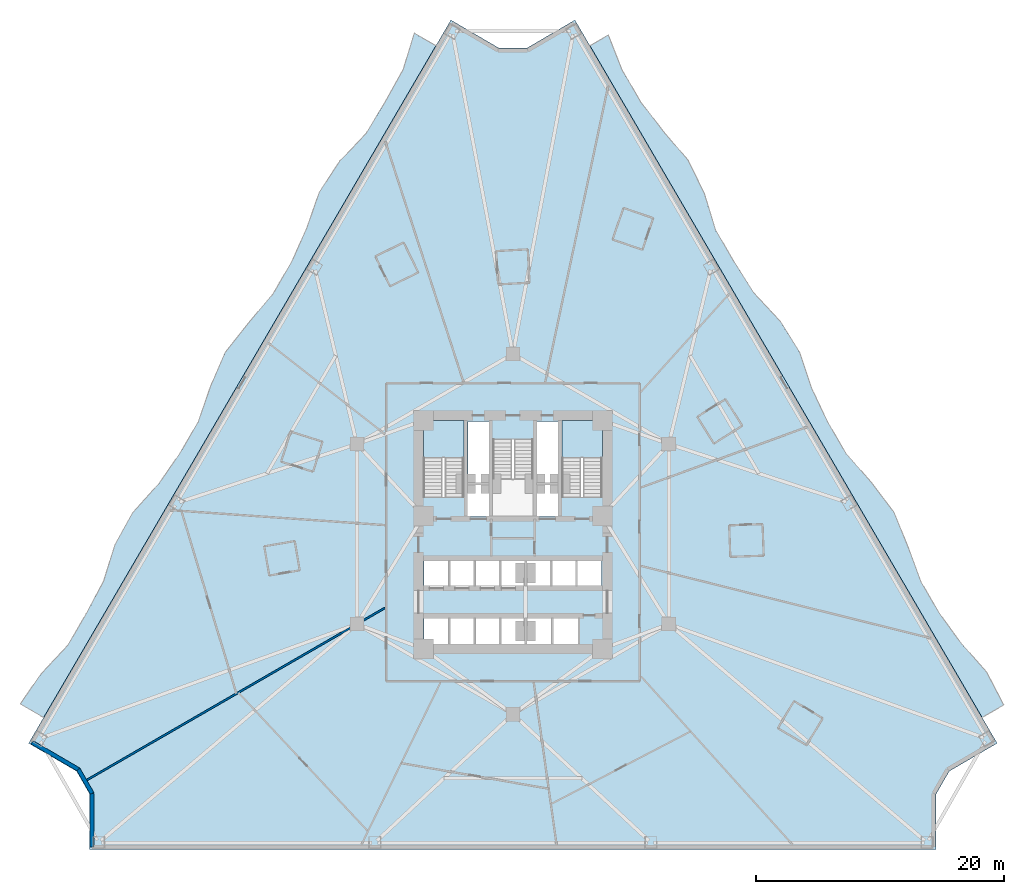
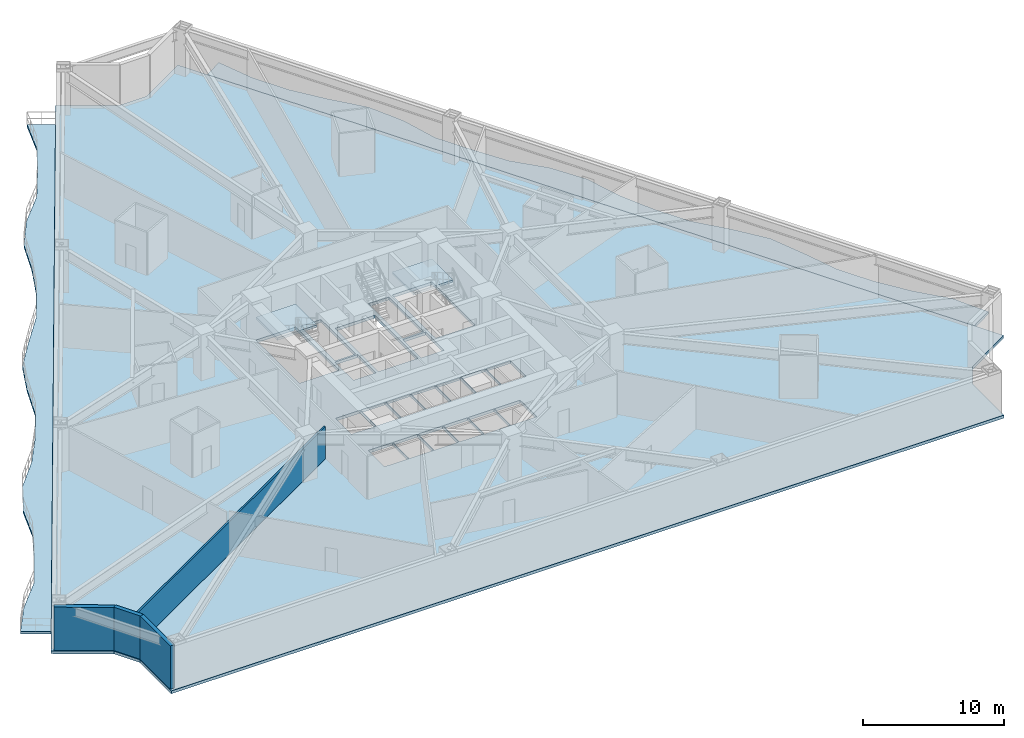
# One storey, part 2 of 11: 5 slabs, 4 walls, 2 elements without a shape of their own.
"""IFC4 building model written with IfcOpenShell, lengths in metres."""

from ifc_helpers import new_model, si_unit, direction, frame, frame_2d, origin, place, context, subcontext, project, spatial, polyline, rectangle, outline, extrude, material, layer, layer_set, type_object, element, aggregate, save


model = new_model("IFC4")

# Units and contexts
model_context = context("Model", 3, precision=1e-05, world=origin(), true_north=direction((0.0, 1.0)))
body_context = subcontext(model_context, "Body", "Model", "MODEL_VIEW")
ifc_project = project(units=[si_unit("LENGTHUNIT", "METRE"), si_unit("AREAUNIT", "SQUARE_METRE"), si_unit("VOLUMEUNIT", "CUBIC_METRE"), si_unit("PLANEANGLEUNIT", "RADIAN"), si_unit("MASSUNIT", "GRAM", prefix="KILO")], contexts=[model_context])

# Site, building, storey
site_placement = place(None, origin())
site = spatial("IfcSite", under=ifc_project, at=site_placement, CompositionType="ELEMENT")
building_placement = place(site_placement, origin())
building = spatial("IfcBuilding", under=site, at=building_placement, Name="Apsidion Concourse Tower", CompositionType="ELEMENT")
storey_placement = place(building_placement, frame((0.0, 0.0, 54.39990234375)))
storey = spatial("IfcBuildingStorey", under=building, at=storey_placement, Name="L11", CompositionType="ELEMENT", Elevation=54.39990234375)

# Slabs
ifc_material_1 = material(Name="Concrete C50/60", Category="concrete")
ifc_layer_1 = layer(ifc_material_1, 0.219970703125)
ifc_layer_set_1 = layer_set([ifc_layer_1], Name="Concrete C50/60")
slab_type_1 = type_object("IfcSlabType", Name="SL-BAL-220", PredefinedType="FLOOR", material=ifc_layer_set_1)
slab_1_placement = place(storey_placement, frame((0.0, 0.0, -0.219970703125)))
element("IfcSlab", 1, at=slab_1_placement, inside=storey, type_object=slab_type_1, Name="L11 Face 3 Rippling Balcony Slab", PredefinedType="FLOOR", context=body_context, shape_type="SweptSolid", body=[
    extrude(outline(polyline([(37.789306640625, -14.772705078125), (36.285400390625, -12.19677734375), (34.78125, -9.620849609375), (33.277099609375, -7.044921875), (31.773193359375, -4.468994140625), (30.269287109375, -1.892822265625), (28.76513671875, 0.68310546875), (27.260986328125, 3.259033203125), (25.757080078125, 5.8349609375), (24.253173828125, 8.410888671875), (22.7490234375, 10.987060546875), (21.2451171875, 13.56298828125), (19.740966796875, 16.138916015625), (18.237060546875, 18.715087890625), (16.73291015625, 21.291015625), (15.22900390625, 23.866943359375), (13.724853515625, 26.44287109375), (12.220947265625, 29.018798828125), (10.716796875, 31.594970703125), (9.212890625, 34.1708984375), (7.708740234375, 36.746826171875), (6.204833984375, 39.32275390625), (7.68310546875, 40.18603515625), (8.788330078125, 37.377197265625), (10.292236328125, 34.801025390625), (12.123046875, 32.416015625), (14.09912109375, 30.115478515625), (15.41552734375, 27.429931640625), (16.308349609375, 24.497314453125), (17.8125, 21.921142578125), (19.40673828125, 19.39794921875), (21.507080078125, 17.170166015625), (23.0849609375, 14.63720703125), (24.050048828125, 11.74658203125), (25.33251953125, 9.041259765625), (26.836669921875, 6.46533203125), (28.838623046875, 4.18017578125), (30.66455078125, 1.7919921875), (31.804931640625, -0.99609375), (32.852783203125, -3.838623046875), (34.356689453125, -6.41455078125), (36.127197265625, -8.8349609375), (38.143798828125, -11.11181640625), (39.52490234375, -13.759521484375), (37.789306640625, -14.772705078125)])), origin(), (0.0, 0.0, 1.0), 0.219970703125),
])
slab_2_placement = place(storey_placement, frame((0.0, 0.0, -0.219970703125)))
element("IfcSlab", 2, at=slab_2_placement, inside=storey, type_object=slab_type_1, Name="L11 Face 1 Rippling Balcony Slab", PredefinedType="FLOOR", context=body_context, shape_type="SweptSolid", body=[
    extrude(outline(polyline([(-6.204833984375, 39.32275390625), (-7.708740234375, 36.746826171875), (-9.212890625, 34.1708984375), (-10.716796875, 31.594970703125), (-12.220947265625, 29.018798828125), (-13.724853515625, 26.44287109375), (-15.22900390625, 23.866943359375), (-16.73291015625, 21.291015625), (-18.237060546875, 18.715087890625), (-19.740966796875, 16.138916015625), (-21.2451171875, 13.56298828125), (-22.7490234375, 10.987060546875), (-24.253173828125, 8.410888671875), (-25.757080078125, 5.8349609375), (-27.260986328125, 3.259033203125), (-28.76513671875, 0.68310546875), (-30.269287109375, -1.892822265625), (-31.773193359375, -4.468994140625), (-33.277099609375, -7.044921875), (-34.78125, -9.620849609375), (-36.285400390625, -12.19677734375), (-37.789306640625, -14.772705078125), (-39.67138671875, -13.673828125), (-37.964111328125, -11.216552734375), (-35.860595703125, -8.990478515625), (-34.356689453125, -6.41455078125), (-32.95751953125, -3.777587890625), (-32.044921875, -0.856201171875), (-30.59814453125, 1.75341796875), (-28.547119140625, 4.009765625), (-26.836669921875, 6.46533203125), (-25.33251953125, 9.041259765625), (-24.340087890625, 11.916015625), (-23.143798828125, 14.67138671875), (-21.2626953125, 17.02734375), (-19.31640625, 19.34521484375), (-17.8125, 21.921142578125), (-16.590087890625, 24.66162109375), (-15.589111328125, 27.53125), (-13.945556640625, 30.02587890625), (-11.830078125, 32.244873046875), (-10.292236328125, 34.801025390625), (-8.836181640625, 37.405029296875), (-7.940185546875, 40.336181640625), (-6.204833984375, 39.32275390625)])), origin(), (0.0, 0.0, 1.0), 0.219970703125),
])
ifc_layer_2 = layer(ifc_material_1, 0.25)
ifc_layer_set_2 = layer_set([ifc_layer_2], Name="Concrete C50/60")
slab_type_2 = type_object("IfcSlabType", Name="SL-FLR-250", PredefinedType="FLOOR", material=ifc_layer_set_2)
slab_3_placement = place(storey_placement, frame((0.0, 0.0, -0.25)))
element("IfcSlab", 3, at=slab_3_placement, inside=storey, type_object=slab_type_2, Name="L11 Structural Floor Slab", PredefinedType="FLOOR", context=body_context, shape_type="SweptSolid", body=[
    extrude(outline(polyline([(4.99462890625, 41.3955078125), (1.13427734375, 39.141357421875), (-1.13427734375, 39.141357421875), (-4.99462890625, 41.3955078125), (-38.99951171875, -16.845458984375), (-35.138916015625, -19.099365234375), (-34.088134765625, -20.9296875), (-34.088134765625, -25.39990234375), (34.088134765625, -25.39990234375), (34.088134765625, -20.9296875), (35.138916015625, -19.099365234375), (38.99951171875, -16.845458984375), (4.99462890625, 41.3955078125)]), holes=[polyline([(-3.949951171875, 3.0), (-3.949951171875, 9.14990234375), (-7.199951171875, 9.14990234375), (-7.199951171875, 3.0), (-3.949951171875, 3.0)]), polyline([(7.199951171875, 3.0), (7.199951171875, 9.14990234375), (3.949951171875, 9.14990234375), (3.949951171875, 3.0), (7.199951171875, 3.0)]), polyline([(-1.625, 7.60009765625), (-1.625, 1.449951171875), (1.625, 1.449951171875), (1.625, 7.60009765625), (-1.625, 7.60009765625)]), polyline([(-7.14501953125, -4.300048828125), (-5.155029296875, -4.300048828125), (-5.155029296875, -2.050048828125), (-7.14501953125, -2.050048828125), (-7.14501953125, -4.300048828125)]), polyline([(-5.094970703125, -4.300048828125), (-3.10498046875, -4.300048828125), (-3.10498046875, -2.050048828125), (-5.094970703125, -2.050048828125), (-5.094970703125, -4.300048828125)]), polyline([(-3.044921875, -4.300048828125), (-1.054931640625, -4.300048828125), (-1.054931640625, -2.050048828125), (-3.044921875, -2.050048828125), (-3.044921875, -4.300048828125)]), polyline([(-0.9951171875, -4.300048828125), (0.9951171875, -4.300048828125), (0.9951171875, -2.050048828125), (-0.9951171875, -2.050048828125), (-0.9951171875, -4.300048828125)]), polyline([(1.054931640625, -4.300048828125), (3.044921875, -4.300048828125), (3.044921875, -2.050048828125), (1.054931640625, -2.050048828125), (1.054931640625, -4.300048828125)]), polyline([(3.10498046875, -4.300048828125), (5.094970703125, -4.300048828125), (5.094970703125, -2.050048828125), (3.10498046875, -2.050048828125), (3.10498046875, -4.300048828125)]), polyline([(5.155029296875, -4.300048828125), (7.14501953125, -4.300048828125), (7.14501953125, -2.050048828125), (5.155029296875, -2.050048828125), (5.155029296875, -4.300048828125)]), polyline([(-7.14501953125, -8.949951171875), (-5.155029296875, -8.949951171875), (-5.155029296875, -6.64990234375), (-7.14501953125, -6.64990234375), (-7.14501953125, -8.949951171875)]), polyline([(-5.094970703125, -8.949951171875), (-3.10498046875, -8.949951171875), (-3.10498046875, -6.64990234375), (-5.094970703125, -6.64990234375), (-5.094970703125, -8.949951171875)]), polyline([(-3.044921875, -8.949951171875), (-1.054931640625, -8.949951171875), (-1.054931640625, -6.64990234375), (-3.044921875, -6.64990234375), (-3.044921875, -8.949951171875)]), polyline([(-0.9951171875, -8.949951171875), (0.9951171875, -8.949951171875), (0.9951171875, -6.64990234375), (-0.9951171875, -6.64990234375), (-0.9951171875, -8.949951171875)]), polyline([(1.044921875, -9.0), (3.155029296875, -9.0), (3.155029296875, -6.64990234375), (1.044921875, -6.64990234375), (1.044921875, -9.0)]), polyline([(3.195068359375, -9.0), (5.304931640625, -9.0), (5.304931640625, -6.64990234375), (3.195068359375, -6.64990234375), (3.195068359375, -9.0)]), polyline([(-3.7099609375, 1.39990234375), (-1.85009765625, 1.39990234375), (-1.85009765625, 4.0), (-3.7099609375, 4.0), (-3.7099609375, 1.39990234375)]), polyline([(1.85009765625, 1.39990234375), (3.7099609375, 1.39990234375), (3.7099609375, 4.0), (1.85009765625, 4.0), (1.85009765625, 1.39990234375)]), polyline([(-3.6201171875, 4.14990234375), (-1.93994140625, 4.14990234375), (-1.93994140625, 9.050048828125), (-3.6201171875, 9.050048828125), (-3.6201171875, 4.14990234375)]), polyline([(1.93994140625, 4.14990234375), (3.6201171875, 4.14990234375), (3.6201171875, 9.050048828125), (1.93994140625, 9.050048828125), (1.93994140625, 4.14990234375)])]), origin(), (0.0, 0.0, 1.0), 0.25),
])

# Stair, slab
ifc_material_2 = material(Name="Precast concrete C40/50", Category="concrete")
stair_type = type_object("IfcStairType", Name="ST-DL-1550", PredefinedType="HALF_TURN_STAIR", material=ifc_material_2)
stair_1_placement = place(storey_placement, origin())
stair_1 = element("IfcStair", 4, at=stair_1_placement, inside=storey, type_object=stair_type, Name="L11 Protected Core Exit Stair ST1", PredefinedType="HALF_TURN_STAIR")
ifc_layer_3 = layer(ifc_material_1, 0.199951171875)
ifc_layer_set_3 = layer_set([ifc_layer_3], Name="Concrete C50/60")
slab_type_3 = type_object("IfcSlabType", Name="SL-ST-LAND-200", PredefinedType="LANDING", material=ifc_layer_set_3)
slab_4_placement = place(storey_placement, frame((0.0, 0.0, 1.800048828125)))
slab_4 = element("IfcSlab", 5, at=slab_4_placement, type_object=slab_type_3, Name="ST1 landing 1", PredefinedType="LANDING", context=body_context, shape_type="SweptSolid", body=[
    extrude(outline(polyline([(-3.949951171875, 6.135009765625), (-3.949951171875, 9.14990234375), (-7.199951171875, 9.14990234375), (-7.199951171875, 6.135009765625), (-3.949951171875, 6.135009765625)])), origin(), (0.0, 0.0, 1.0), 0.199951171875),
])
aggregate(stair_1, [slab_4])

stair_2_placement = place(storey_placement, origin())
stair_2 = element("IfcStair", 6, at=stair_2_placement, inside=storey, type_object=stair_type, Name="L11 Protected Core Exit Stair ST2", PredefinedType="HALF_TURN_STAIR")
slab_5_placement = place(storey_placement, frame((0.0, 0.0, 1.800048828125)))
slab_5 = element("IfcSlab", 7, at=slab_5_placement, type_object=slab_type_3, Name="ST2 landing 1", PredefinedType="LANDING", context=body_context, shape_type="SweptSolid", body=[
    extrude(outline(polyline([(7.199951171875, 6.135009765625), (7.199951171875, 9.14990234375), (3.949951171875, 9.14990234375), (3.949951171875, 6.135009765625), (7.199951171875, 6.135009765625)])), origin(), (0.0, 0.0, 1.0), 0.199951171875),
])
aggregate(stair_2, [slab_5])

# Walls
ifc_layer_4 = layer(ifc_material_2, 0.320068359375)
ifc_layer_set_4 = layer_set([ifc_layer_4], Name="Precast concrete C40/50")
wall_type_1 = type_object("IfcWallType", Name="WL-EXT-320", PredefinedType="STANDARD", material=ifc_layer_set_4)
wall_1_placement = place(storey_placement, frame((-33.88818359375, -25.199951171875, 0.0), z_axis=(0.0, 0.0, 1.0), x_axis=(0.0, 1.0, 0.0)))
element("IfcWall", 8, at=wall_1_placement, inside=storey, type_object=wall_type_1, Name="L11 Precast Stone Facade Wall 06", PredefinedType="STANDARD", context=body_context, shape_type="SweptSolid", body=[
    extrude(rectangle(XDim=4.32373046875, YDim=0.320068359375, at=frame_2d((2.161865234375, 0.0))), origin(), (0.0, 0.0, 1.0), 3.75),
])
wall_2_placement = place(storey_placement, frame((-33.88818359375, -20.876220703125, 0.0), z_axis=(0.0, 0.0, 1.0), x_axis=(-0.497881323344, 0.867245171717, 0.0)))
element("IfcWall", 9, at=wall_2_placement, inside=storey, type_object=wall_type_1, Name="L11 Precast Stone Facade Wall 07", PredefinedType="STANDARD", context=body_context, shape_type="SweptSolid", body=[
    extrude(rectangle(XDim=2.216796875, YDim=0.320068359375, at=frame_2d((1.1083984375, 0.0))), origin(), (0.0, 0.0, 1.0), 3.75),
])
wall_3_placement = place(storey_placement, frame((-34.991943359375, -18.95361328125, 0.0), z_axis=(0.0, 0.0, 1.0), x_axis=(-0.863569936823, 0.504229079105, 0.0)))
element("IfcWall", 10, at=wall_3_placement, inside=storey, type_object=wall_type_1, Name="L11 Precast Stone Facade Wall 08", PredefinedType="STANDARD", context=body_context, shape_type="SweptSolid", body=[
    extrude(rectangle(XDim=4.32373046875, YDim=0.320068359375, at=frame_2d((2.161865234375, 0.0))), origin(), (0.0, 0.0, 1.0), 3.75),
])
ifc_material_3 = material(Name="Gypsum plasterboard partition")
ifc_layer_5 = layer(ifc_material_3, 0.14990234375)
ifc_layer_set_5 = layer_set([ifc_layer_5], Name="Gypsum plasterboard partition")
wall_type_2 = type_object("IfcWallType", Name="WL-INT-PAR-150", PredefinedType="PARTITIONING", material=ifc_layer_set_5)
wall_4_placement = place(storey_placement, frame((-10.304931640625, -5.94970703125, 0.0), z_axis=(0.0, 0.0, 1.0), x_axis=(-0.866026683055, -0.499997784232, 0.0)))
element("IfcWall", 11, at=wall_4_placement, inside=storey, type_object=wall_type_2, Name="L11 Interior Partition WL-L11-RAD-07-1", PredefinedType="PARTITIONING", context=body_context, shape_type="SweptSolid", body=[
    extrude(rectangle(XDim=27.709228515625, YDim=0.14990234375, at=frame_2d((13.8544921875, 0.0))), origin(), (0.0, 0.0, 1.0), 2.798095703125),
])

save(model, "model.ifc")
